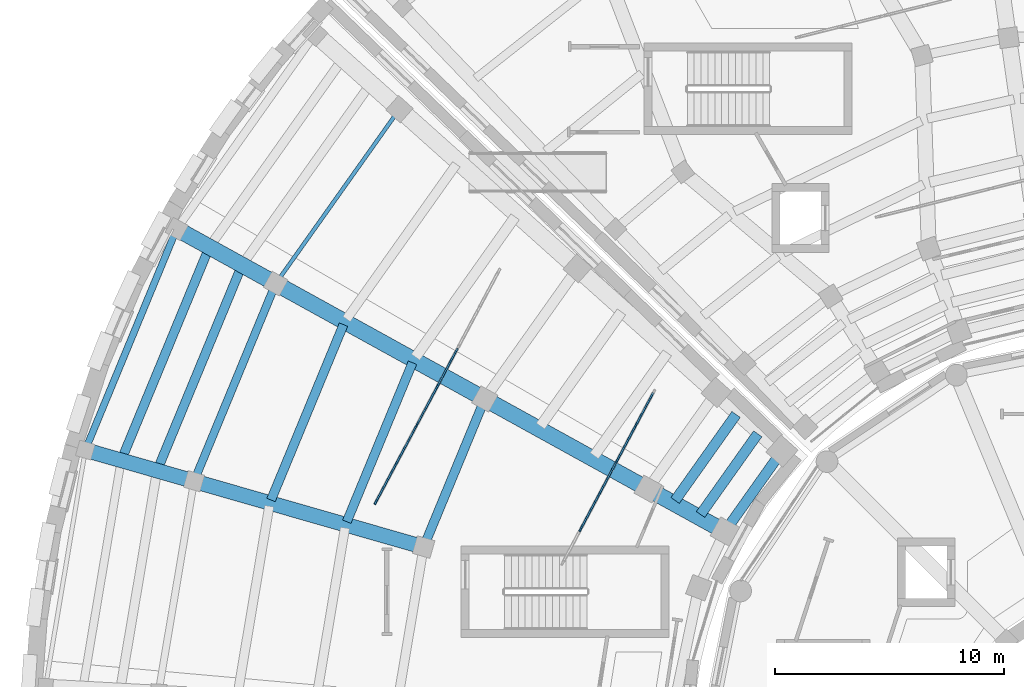
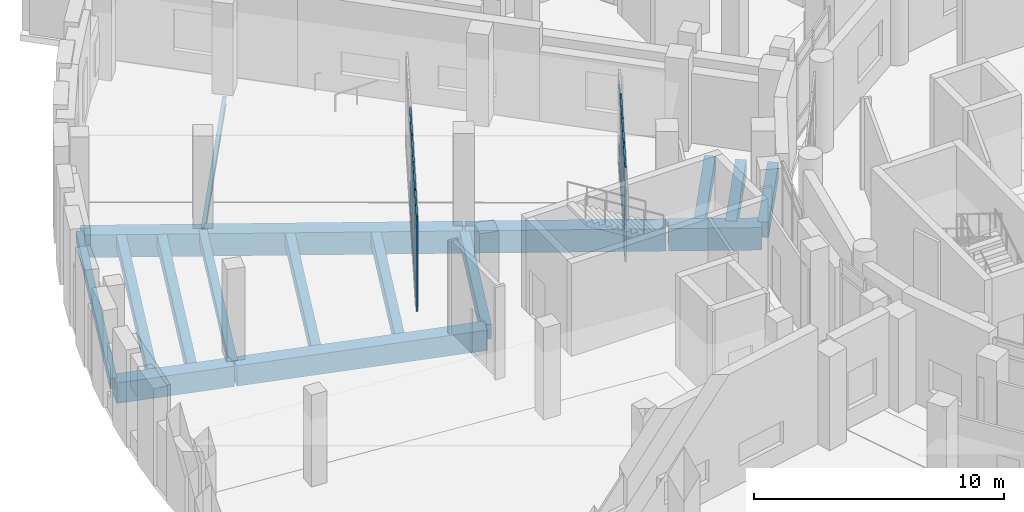
# One storey, part 27 of 89: 39 members, 17 beams, 2 elements without a shape of their own.
"""IFC4 building model written with IfcOpenShell, lengths in metres."""

import ifcopenshell
import ifcopenshell.guid

model = None  # the IFC model being written
_history = None  # IfcOwnerHistory: only IFC2X3 demands one
_inside = {}  # id of a spatial element -> (the spatial element, [elements in it])
_under = {}  # id of a project, library or spatial element -> (it, [spatial elements below it])
_declared = {}  # id of a project -> (the project, [libraries it declares])
_typed = {}  # id of a type object -> (the type object, [elements of that type])
_made_of = {}  # id of a material, layer set ... -> (it, [elements and type objects made of it])


def new_model(schema):
    """Start an empty IFC model of exactly this schema.

    Asked for "IFC4X3", IfcOpenShell would pick the latest addendum, in which some entities
    have other attributes; the version numbers below select the first issue.
    IFC2X3 requires an IfcOwnerHistory on every rooted entity: one is made here for all.
    """
    global model, _history
    if schema == "IFC4X3":
        model = ifcopenshell.file(schema_version=(4, 3, 0, 0))
    else:
        model = ifcopenshell.file(schema=schema)
    _inside.clear()
    _under.clear()
    _declared.clear()
    _typed.clear()
    _made_of.clear()
    _history = None
    if model.schema == "IFC2X3":
        org = make("IfcOrganization", Name="unknown")
        user = make(
            "IfcPersonAndOrganization",
            ThePerson=make("IfcPerson", FamilyName="unknown"),
            TheOrganization=org,
        )
        app = make(
            "IfcApplication",
            ApplicationDeveloper=org,
            Version="unknown",
            ApplicationFullName="unknown",
            ApplicationIdentifier="unknown",
        )
        _history = make(
            "IfcOwnerHistory",
            OwningUser=user,
            OwningApplication=app,
            ChangeAction="ADDED",
            CreationDate=0,
        )
    return model


def make(cls, **values):
    """One entity of the class cls with the attributes given. An attribute that is None is left unset."""
    return model.create_entity(
        cls, **{name: value for name, value in values.items() if value is not None}
    )


def rooted(cls, **values):
    """An entity with a GlobalId (a new one), such as an element, a storey or a relation."""
    return make(cls, GlobalId=ifcopenshell.guid.new(), OwnerHistory=_history, **values)


def si_unit(unit_type, name, prefix=None):
    """IfcSIUnit, for example si_unit("LENGTHUNIT", "METRE", prefix="MILLI")."""
    return make("IfcSIUnit", UnitType=unit_type, Prefix=prefix, Name=name)


def assignment(units):
    """IfcUnitAssignment: the units of a project."""
    return None if units is None else make("IfcUnitAssignment", Units=units)


def point(xyz):
    """IfcCartesianPoint."""
    return None if xyz is None else make("IfcCartesianPoint", Coordinates=xyz)


def direction(xyz):
    """IfcDirection."""
    return None if xyz is None else make("IfcDirection", DirectionRatios=xyz)


def frame(location, z_axis=None, x_axis=None):
    """IfcAxis2Placement3D, a coordinate frame: its origin and axes. An axis left out is left unset."""
    return make(
        "IfcAxis2Placement3D",
        Location=point(location),
        Axis=direction(z_axis),
        RefDirection=direction(x_axis),
    )


def frame_2d(location, x_axis=None):
    """IfcAxis2Placement2D, a coordinate frame in the plane: its origin and x axis."""
    return make(
        "IfcAxis2Placement2D", Location=point(location), RefDirection=direction(x_axis)
    )


def origin():
    """The frame at (0, 0, 0) with its axes left unset."""
    return frame((0.0, 0.0, 0.0))


def origin_2d():
    """The frame at (0, 0) in the plane with its x axis left unset."""
    return frame_2d((0.0, 0.0))


def place(relative_to, where):
    """IfcLocalPlacement: puts the frame where relative to a parent placement (None: the world)."""
    return make(
        "IfcLocalPlacement", PlacementRelTo=relative_to, RelativePlacement=where
    )


def context(
    kind, dimensions, precision=None, world=None, true_north=None, identifier=None
):
    """IfcGeometricRepresentationContext, for example the 3D "Model" context."""
    return make(
        "IfcGeometricRepresentationContext",
        ContextIdentifier=identifier,
        ContextType=kind,
        CoordinateSpaceDimension=dimensions,
        Precision=precision,
        WorldCoordinateSystem=world,
        TrueNorth=true_north,
    )


def subcontext(parent, identifier, kind, view, scale=None):
    """IfcGeometricRepresentationSubContext, for example "Body" below "Model"."""
    return make(
        "IfcGeometricRepresentationSubContext",
        ContextIdentifier=identifier,
        ContextType=kind,
        ParentContext=parent,
        TargetScale=scale,
        TargetView=view,
    )


def project(units=None, contexts=None):
    """IfcProject with its units and contexts."""
    return rooted(
        "IfcProject",
        Name="project",
        RepresentationContexts=contexts,
        UnitsInContext=assignment(units),
    )


def spatial(cls, under=None, at=None, **own):
    """A site, building, storey or space (cls), placed at a placement, below another one or the project."""
    s = rooted(cls, ObjectPlacement=at, **own)
    if under is not None:
        _under.setdefault(under.id(), (under, []))[1].append(s)
    return s


def profile(cls, at=None, kind="AREA", **sizes):
    """A parametric profile (cls). Its sizes go by their IFC names, for example OverallWidth=200.0."""
    return make(cls, ProfileType=kind, Position=at, **sizes)


def rectangle(**sizes):
    """IfcRectangleProfileDef."""
    return profile("IfcRectangleProfileDef", **sizes)


def i_section(**sizes):
    """IfcIShapeProfileDef."""
    return profile("IfcIShapeProfileDef", **sizes)


def extrude(swept, where, along, depth):
    """IfcExtrudedAreaSolid: the profile swept, set in the frame where, extruded along a direction by depth."""
    return make(
        "IfcExtrudedAreaSolid",
        SweptArea=swept,
        Position=where,
        ExtrudedDirection=direction(along),
        Depth=depth,
    )


def shape(context_of_items, identifier, shape_type, items):
    """IfcShapeRepresentation: the items that make up one representation, for example the "Body"."""
    return make(
        "IfcShapeRepresentation",
        ContextOfItems=context_of_items,
        RepresentationIdentifier=identifier,
        RepresentationType=shape_type,
        Items=items,
    )


def material(Name=None, Category=None):
    """IfcMaterial."""
    return make("IfcMaterial", Name=Name, Category=Category)


def material_profile(
    of_material, cross_section, Name=None, Category=None, Priority=None
):
    """IfcMaterialProfile: a cross section and its material."""
    return make(
        "IfcMaterialProfile",
        Name=Name,
        Material=of_material,
        Profile=cross_section,
        Priority=Priority,
        Category=Category,
    )


def profile_set(profiles, Name=None, composite=None):
    """IfcMaterialProfileSet."""
    return make(
        "IfcMaterialProfileSet",
        Name=Name,
        MaterialProfiles=profiles,
        CompositeProfile=composite,
    )


def made_of(thing, what):
    """Note that an element or type object is made of a material, layer set ...; save() writes the relation."""
    if what is not None:
        _made_of.setdefault(what.id(), (what, []))[1].append(thing)
    return thing


def type_object(cls, material=None, **own):
    """A type object (cls), such as IfcWallType, which elements share."""
    return made_of(rooted(cls, **own), material)


def element(
    cls,
    number,
    at=None,
    inside=None,
    cuts=None,
    type_object=None,
    material=None,
    context=None,
    identifier="Body",
    shape_type=None,
    held_by="IfcProductDefinitionShape",
    body=None,
    shapes=None,
    **own,
):
    """One element of the class cls, such as IfcWall. Its Tag is "e" and its number.

    at: its placement. inside: the storey or other place that contains it. cuts: it is an
    opening in that element (IfcRelVoidsElement). A single representation is given by context,
    identifier, shape_type and body (its items); several are given by shapes. held_by: the class
    of the entity that holds the representations. save() writes the other relations.
    """
    e = rooted(cls, Tag="e%d" % number, ObjectPlacement=at, **own)
    if body is not None:
        shapes = [shape(context, identifier, shape_type, body)]
    if shapes is not None:
        e.Representation = make(held_by, Representations=shapes)
    if inside is not None:
        _inside.setdefault(inside.id(), (inside, []))[1].append(e)
    if cuts is not None:
        rooted(
            "IfcRelVoidsElement", RelatingBuildingElement=cuts, RelatedOpeningElement=e
        )
    if type_object is not None:
        _typed.setdefault(type_object.id(), (type_object, []))[1].append(e)
    return made_of(e, material)


def aggregate(whole, parts):
    """IfcRelAggregates: a whole, such as a stair, and the parts it consists of."""
    return rooted("IfcRelAggregates", RelatingObject=whole, RelatedObjects=parts)


def save(model, path):
    """Write the relations noted so far, then the file.

    IfcRelAggregates (storeys below a building ...), IfcRelContainedInSpatialStructure (elements
    in a storey), IfcRelDefinesByType, IfcRelAssociatesMaterial and IfcRelDeclares: one each for
    every whole, place, type object, material and project.
    """
    for whole, parts in _under.values():
        aggregate(whole, parts)
    for where, things in _inside.values():
        rooted(
            "IfcRelContainedInSpatialStructure",
            RelatedElements=things,
            RelatingStructure=where,
        )
    for kind, things in _typed.values():
        rooted("IfcRelDefinesByType", RelatedObjects=things, RelatingType=kind)
    for what, things in _made_of.values():
        rooted("IfcRelAssociatesMaterial", RelatedObjects=things, RelatingMaterial=what)
    for by, libraries in _declared.values():
        rooted("IfcRelDeclares", RelatingContext=by, RelatedDefinitions=libraries)
    model.write(path)


model = new_model("IFC4")

# Units and contexts
model_context = context("Model", 3, precision=1e-05, world=origin(), true_north=direction((0.0, 1.0)))
body_context = subcontext(model_context, "Body", "Model", "MODEL_VIEW")
ifc_project = project(units=[si_unit("LENGTHUNIT", "METRE"), si_unit("AREAUNIT", "SQUARE_METRE"), si_unit("VOLUMEUNIT", "CUBIC_METRE"), si_unit("PLANEANGLEUNIT", "RADIAN"), si_unit("MASSUNIT", "GRAM", prefix="KILO")], contexts=[model_context])

# Site, building, storey
site_placement = place(None, origin())
site = spatial("IfcSite", under=ifc_project, at=site_placement, CompositionType="ELEMENT")
building_placement = place(site_placement, origin())
building = spatial("IfcBuilding", under=site, at=building_placement, Name="Soyqirgoq Riverine Aquarium", CompositionType="ELEMENT")
storey_placement = place(building_placement, frame((0.0, 0.0, 5.39990234375)))
storey = spatial("IfcBuildingStorey", under=building, at=storey_placement, Name="L02", CompositionType="ELEMENT", Elevation=5.39990234375)

# Beams
ifc_material_1 = material(Name="Concrete C40/50", Category="concrete")
ifc_material_profile_1 = material_profile(ifc_material_1, rectangle(XDim=0.39990234375, YDim=0.60009765625, at=origin_2d()), Name="RC 400x600")
ifc_profile_set_1 = profile_set([ifc_material_profile_1], Name="Concrete C40/50")
beam_type_1 = type_object("IfcBeamType", Name="Beam_RC_400x600", PredefinedType="JOIST", material=ifc_profile_set_1)
beam_1_placement = place(storey_placement, frame((16.580078125, 78.602294921875, -0.599853515625), z_axis=(-0.381878309596, -0.924212614424, 0.0), x_axis=(0.924212614424, -0.381878309596, 0.0)))
element("IfcBeam", 1, at=beam_1_placement, inside=storey, type_object=beam_type_1, Name="V3 L02 Secondary Floor Joist 0403", PredefinedType="JOIST", context=body_context, shape_type="SweptSolid", body=[
    extrude(rectangle(XDim=0.39990234375, YDim=0.60009765625, at=origin_2d()), origin(), (0.0, 0.0, 1.0), 9.822998046875),
])
ifc_material_2 = material(Name="Concrete C40/50", Category="concrete")
ifc_material_profile_2 = material_profile(ifc_material_2, rectangle(XDim=0.39990234375, YDim=0.64990234375, at=origin_2d()), Name="RC 400x650")
ifc_profile_set_2 = profile_set([ifc_material_profile_2], Name="Concrete C40/50")
beam_type_2 = type_object("IfcBeamType", Name="Beam_RC_400x650", PredefinedType="BEAM", material=ifc_profile_set_2)
beam_2_placement = place(storey_placement, frame((22.50244140625, 75.332763671875, -0.625), z_axis=(-0.381876463653, -0.924213377153, 0.0), x_axis=(0.924213377153, -0.381876463653, 0.0)))
element("IfcBeam", 2, at=beam_2_placement, inside=storey, type_object=beam_type_2, Name="V3 L02 Secondary Floor Joist 0391", PredefinedType="BEAM", context=body_context, shape_type="SweptSolid", body=[
    extrude(rectangle(XDim=0.39990234375, YDim=0.64990234375, at=origin_2d()), origin(), (0.0, 0.0, 1.0), 8.302734375),
])
beam_3_placement = place(storey_placement, frame((18.010009765625, 77.812744140625, -0.625), z_axis=(-0.381863720074, -0.92421864258, 0.0), x_axis=(0.92421864258, -0.381863720074, 0.0)))
element("IfcBeam", 3, at=beam_3_placement, inside=storey, type_object=beam_type_2, Name="V3 L02 Secondary Floor Joist 0402", PredefinedType="BEAM", context=body_context, shape_type="SweptSolid", body=[
    extrude(rectangle(XDim=0.39990234375, YDim=0.64990234375, at=origin_2d()), origin(), (0.0, 0.0, 1.0), 9.455810546875),
])
ifc_material_3 = material(Name="Concrete C40/50", Category="concrete")
ifc_material_profile_3 = material_profile(ifc_material_3, rectangle(XDim=0.39990234375, YDim=0.699951171875, at=origin_2d()), Name="RC 400x700")
ifc_profile_set_3 = profile_set([ifc_material_profile_3], Name="Concrete C40/50")
beam_type_3 = type_object("IfcBeamType", Name="Beam_RC_400x700", PredefinedType="BEAM", material=ifc_profile_set_3)
beam_4_placement = place(storey_placement, frame((28.66650390625, 72.0322265625, -0.64990234375), z_axis=(-0.381899251328, -0.924203961166, 0.0), x_axis=(0.924203961166, -0.381899251328, 0.0)))
element("IfcBeam", 4, at=beam_4_placement, inside=storey, type_object=beam_type_3, Name="V3 L02 Wedge Chord Beam 0385", PredefinedType="BEAM", context=body_context, shape_type="SweptSolid", body=[
    extrude(rectangle(XDim=0.39990234375, YDim=0.699951171875, at=origin_2d()), origin(), (0.0, 0.0, 1.0), 6.909912109375),
])
beam_5_placement = place(storey_placement, frame((25.521484375, 73.666015625, -0.64990234375), z_axis=(-0.38187337807, -0.924214652081, 0.0), x_axis=(0.924214652081, -0.38187337807, 0.0)))
element("IfcBeam", 5, at=beam_5_placement, inside=storey, type_object=beam_type_3, Name="V3 L02 Secondary Floor Joist 0390", PredefinedType="BEAM", context=body_context, shape_type="SweptSolid", body=[
    extrude(rectangle(XDim=0.39990234375, YDim=0.699951171875, at=origin_2d()), origin(), (0.0, 0.0, 1.0), 7.528076171875),
])
ifc_material_4 = material(Name="Concrete C40/50", Category="concrete")
ifc_material_profile_4 = material_profile(ifc_material_4, rectangle(XDim=0.449951171875, YDim=0.699951171875, at=origin_2d()), Name="RC 450x700")
ifc_profile_set_4 = profile_set([ifc_material_profile_4], Name="Concrete C40/50")
beam_type_4 = type_object("IfcBeamType", Name="Beam_RC_450x700", PredefinedType="BEAM", material=ifc_profile_set_4)
beam_6_placement = place(storey_placement, frame((39.682861328125, 71.402587890625, -0.64990234375), z_axis=(-0.578551706163, -0.81564570942, 0.0), x_axis=(0.81564570942, -0.578551706163, 0.0)))
element("IfcBeam", 6, at=beam_6_placement, inside=storey, type_object=beam_type_4, Name="V3 L02 Secondary Floor Joist 0380", PredefinedType="BEAM", context=body_context, shape_type="SweptSolid", body=[
    extrude(rectangle(XDim=0.449951171875, YDim=0.699951171875, at=origin_2d()), origin(), (0.0, 0.0, 1.0), 4.613037109375),
])
ifc_material_5 = material(Name="Concrete C40/50", Category="concrete")
ifc_material_profile_5 = material_profile(ifc_material_5, rectangle(XDim=0.449951171875, YDim=0.75, at=origin_2d()), Name="RC 450x750")
ifc_profile_set_5 = profile_set([ifc_material_profile_5], Name="Concrete C40/50")
beam_type_5 = type_object("IfcBeamType", Name="Beam_RC_450x750", PredefinedType="BEAM", material=ifc_profile_set_5)
beam_7_placement = place(storey_placement, frame((41.657958984375, 69.756591796875, -0.6748046875), z_axis=(-0.578587890745, -0.81562004186, 0.0), x_axis=(0.81562004186, -0.578587890745, 0.0)))
element("IfcBeam", 7, at=beam_7_placement, inside=storey, type_object=beam_type_5, Name="V3 L02 Wedge Chord Beam 0375", PredefinedType="BEAM", context=body_context, shape_type="SweptSolid", body=[
    extrude(rectangle(XDim=0.449951171875, YDim=0.75, at=origin_2d()), origin(), (0.0, 0.0, 1.0), 4.213623046875),
])
beam_8_placement = place(storey_placement, frame((40.630126953125, 70.5556640625, -0.6748046875), z_axis=(-0.578577557542, -0.815627371971, 0.0), x_axis=(0.815627371971, -0.578577557542, 0.0)))
element("IfcBeam", 8, at=beam_8_placement, inside=storey, type_object=beam_type_5, Name="V3 L02 Secondary Floor Joist 0379", PredefinedType="BEAM", context=body_context, shape_type="SweptSolid", body=[
    extrude(rectangle(XDim=0.449951171875, YDim=0.75, at=origin_2d()), origin(), (0.0, 0.0, 1.0), 4.32763671875),
])

# Curtain wall, members
ifc_material_6 = material(Name="Cast polymethyl methacrylate PMMA Habitat Viewing Glazing", Category="glass")
curtain_wall_type = type_object("IfcCurtainWallType", Name="CW_Interior_TankVitrine", PredefinedType="NOTDEFINED", material=ifc_material_6)
curtain_wall_1_placement = place(storey_placement, origin())
curtain_wall_1 = element("IfcCurtainWall", 9, at=curtain_wall_1_placement, inside=storey, type_object=curtain_wall_type, Name="V3 L02 Curtain Wall 149", PredefinedType="NOTDEFINED")
ifc_material_7 = material(Name="Anodised aluminium 6063-T6", Category="aluminium")
ifc_material_profile_6 = material_profile(ifc_material_7, rectangle(XDim=0.080078125, YDim=0.219970703125, at=origin_2d()), Name="ALU-M 80x220")
ifc_profile_set_6 = profile_set([ifc_material_profile_6], Name="Anodised aluminium 6063-T6")
member_type_1 = type_object("IfcMemberType", Name="CWMullion_80x220", PredefinedType="MULLION", material=ifc_profile_set_6)
member_1_placement = place(storey_placement, frame((35.292236328125, 70.916259765625, 0.0), z_axis=(0.0, 0.0, 1.0), x_axis=(0.882946853562, -0.469472953199, 0.0)))
member_1 = element("IfcMember", 10, at=member_1_placement, type_object=member_type_1, Name="CW-07 mullion 2", PredefinedType="MULLION", context=body_context, shape_type="SweptSolid", body=[
    extrude(rectangle(XDim=0.080078125, YDim=0.219970703125, at=origin_2d()), origin(), (0.0, 0.0, 1.0), 4.52001953125),
])
member_2_placement = place(storey_placement, frame((34.4892578125, 69.406005859375, 0.0), z_axis=(0.0, 0.0, 1.0), x_axis=(0.882946853562, -0.469472953199, 0.0)))
member_2 = element("IfcMember", 11, at=member_2_placement, type_object=member_type_1, Name="CW-07 mullion 3", PredefinedType="MULLION", context=body_context, shape_type="SweptSolid", body=[
    extrude(rectangle(XDim=0.080078125, YDim=0.219970703125, at=origin_2d()), origin(), (0.0, 0.0, 1.0), 4.52001953125),
])
member_3_placement = place(storey_placement, frame((33.686279296875, 67.895751953125, 0.0), z_axis=(0.0, 0.0, 1.0), x_axis=(0.882946853562, -0.469472953199, 0.0)))
member_3 = element("IfcMember", 12, at=member_3_placement, type_object=member_type_1, Name="CW-07 mullion 4", PredefinedType="MULLION", context=body_context, shape_type="SweptSolid", body=[
    extrude(rectangle(XDim=0.080078125, YDim=0.219970703125, at=origin_2d()), origin(), (0.0, 0.0, 1.0), 4.52001953125),
])
member_4_placement = place(storey_placement, frame((32.88330078125, 66.3857421875, 0.0), z_axis=(0.0, 0.0, 1.0), x_axis=(0.882946853562, -0.469472953199, 0.0)))
member_4 = element("IfcMember", 13, at=member_4_placement, type_object=member_type_1, Name="CW-07 mullion 5", PredefinedType="MULLION", context=body_context, shape_type="SweptSolid", body=[
    extrude(rectangle(XDim=0.080078125, YDim=0.219970703125, at=origin_2d()), origin(), (0.0, 0.0, 1.0), 4.52001953125),
])

curtain_wall_2_placement = place(storey_placement, origin())
curtain_wall_2 = element("IfcCurtainWall", 14, at=curtain_wall_2_placement, inside=storey, type_object=curtain_wall_type, Name="V3 L02 Curtain Wall 150", PredefinedType="NOTDEFINED")
member_5_placement = place(storey_placement, frame((26.60986328125, 72.627197265625, 0.0), z_axis=(0.0, 0.0, 1.0), x_axis=(0.88294600104, -0.46947455655, 0.0)))
member_5 = element("IfcMember", 15, at=member_5_placement, type_object=member_type_1, Name="CW-07 mullion 4", PredefinedType="MULLION", context=body_context, shape_type="SweptSolid", body=[
    extrude(rectangle(XDim=0.080078125, YDim=0.219970703125, at=origin_2d()), origin(), (0.0, 0.0, 1.0), 4.52001953125),
])
member_6_placement = place(storey_placement, frame((25.706787109375, 70.92919921875, 0.0), z_axis=(0.0, 0.0, 1.0), x_axis=(0.88294600104, -0.46947455655, 0.0)))
member_6 = element("IfcMember", 16, at=member_6_placement, type_object=member_type_1, Name="CW-07 mullion 5", PredefinedType="MULLION", context=body_context, shape_type="SweptSolid", body=[
    extrude(rectangle(XDim=0.080078125, YDim=0.219970703125, at=origin_2d()), origin(), (0.0, 0.0, 1.0), 4.52001953125),
])
member_7_placement = place(storey_placement, frame((24.803955078125, 69.231201171875, 0.0), z_axis=(0.0, 0.0, 1.0), x_axis=(0.88294600104, -0.46947455655, 0.0)))
member_7 = element("IfcMember", 17, at=member_7_placement, type_object=member_type_1, Name="CW-07 mullion 6", PredefinedType="MULLION", context=body_context, shape_type="SweptSolid", body=[
    extrude(rectangle(XDim=0.080078125, YDim=0.219970703125, at=origin_2d()), origin(), (0.0, 0.0, 1.0), 4.52001953125),
])
member_8_placement = place(storey_placement, frame((23.919921875, 67.568359375, 0.0), z_axis=(0.0, 0.0, 1.0), x_axis=(0.88294600104, -0.46947455655, 0.0)))
member_8 = element("IfcMember", 18, at=member_8_placement, type_object=member_type_1, Name="CW-07 mullion 7", PredefinedType="MULLION", context=body_context, shape_type="SweptSolid", body=[
    extrude(rectangle(XDim=0.080078125, YDim=0.219970703125, at=origin_2d()), origin(), (0.0, 0.0, 1.0), 4.52001953125),
])

# Member
ifc_material_8 = material(Name="Anodised aluminium 6063-T6", Category="aluminium")
ifc_material_profile_7 = material_profile(ifc_material_8, rectangle(XDim=0.074951171875, YDim=0.14990234375, at=origin_2d()), Name="ALU-T 75x150")
ifc_profile_set_7 = profile_set([ifc_material_profile_7], Name="Anodised aluminium 6063-T6")
member_type_2 = type_object("IfcMemberType", Name="CWTransom_75x150", PredefinedType="USERDEFINED", material=ifc_profile_set_7)
member_9_placement = place(storey_placement, frame((36.0576171875, 72.355712890625, 0.03759765625), z_axis=(-0.46942457219, -0.882972576598, 0.0), x_axis=(0.882972576598, -0.46942457219, 0.0)))
member_9 = element("IfcMember", 19, at=member_9_placement, type_object=member_type_2, Name="CW-07 transom 1.1", ObjectType="TRANSOM", PredefinedType="USERDEFINED", context=body_context, shape_type="SweptSolid", body=[
    extrude(rectangle(XDim=0.074951171875, YDim=0.14990234375, at=origin_2d()), origin(), (0.0, 0.0, 1.0), 1.59033203125),
])

member_10_placement = place(storey_placement, frame((36.0576171875, 72.355712890625, 0.900146484375), z_axis=(-0.46942457219, -0.882972576598, 0.0), x_axis=(0.882972576598, -0.46942457219, 0.0)))
member_10 = element("IfcMember", 20, at=member_10_placement, type_object=member_type_2, Name="CW-07 transom 1.2", ObjectType="TRANSOM", PredefinedType="USERDEFINED", context=body_context, shape_type="SweptSolid", body=[
    extrude(rectangle(XDim=0.074951171875, YDim=0.14990234375, at=origin_2d()), origin(), (0.0, 0.0, 1.0), 1.59033203125),
])

member_11_placement = place(storey_placement, frame((36.0576171875, 72.355712890625, 3.820068359375), z_axis=(-0.46942457219, -0.882972576598, 0.0), x_axis=(0.882972576598, -0.46942457219, 0.0)))
member_11 = element("IfcMember", 21, at=member_11_placement, type_object=member_type_2, Name="CW-07 transom 1.3", ObjectType="TRANSOM", PredefinedType="USERDEFINED", context=body_context, shape_type="SweptSolid", body=[
    extrude(rectangle(XDim=0.074951171875, YDim=0.14990234375, at=origin_2d()), origin(), (0.0, 0.0, 1.0), 1.59033203125),
])

member_12_placement = place(storey_placement, frame((35.2734375, 70.880859375, 0.03759765625), z_axis=(-0.469476371699, -0.882945035898, 0.0), x_axis=(0.882945035898, -0.469476371699, 0.0)))
member_12 = element("IfcMember", 22, at=member_12_placement, type_object=member_type_2, Name="CW-07 transom 2.1", ObjectType="TRANSOM", PredefinedType="USERDEFINED", context=body_context, shape_type="SweptSolid", body=[
    extrude(rectangle(XDim=0.074951171875, YDim=0.14990234375, at=origin_2d()), origin(), (0.0, 0.0, 1.0), 1.63037109375),
])

member_13_placement = place(storey_placement, frame((35.2734375, 70.880859375, 0.900146484375), z_axis=(-0.469476371699, -0.882945035898, 0.0), x_axis=(0.882945035898, -0.469476371699, 0.0)))
member_13 = element("IfcMember", 23, at=member_13_placement, type_object=member_type_2, Name="CW-07 transom 2.2", ObjectType="TRANSOM", PredefinedType="USERDEFINED", context=body_context, shape_type="SweptSolid", body=[
    extrude(rectangle(XDim=0.074951171875, YDim=0.14990234375, at=origin_2d()), origin(), (0.0, 0.0, 1.0), 1.63037109375),
])

member_14_placement = place(storey_placement, frame((35.2734375, 70.880859375, 3.820068359375), z_axis=(-0.469476371699, -0.882945035898, 0.0), x_axis=(0.882945035898, -0.469476371699, 0.0)))
member_14 = element("IfcMember", 24, at=member_14_placement, type_object=member_type_2, Name="CW-07 transom 2.3", ObjectType="TRANSOM", PredefinedType="USERDEFINED", context=body_context, shape_type="SweptSolid", body=[
    extrude(rectangle(XDim=0.074951171875, YDim=0.14990234375, at=origin_2d()), origin(), (0.0, 0.0, 1.0), 1.63037109375),
])

member_15_placement = place(storey_placement, frame((35.2734375, 70.880859375, 4.482666015625), z_axis=(-0.469476371699, -0.882945035898, 0.0), x_axis=(0.882945035898, -0.469476371699, 0.0)))
member_15 = element("IfcMember", 25, at=member_15_placement, type_object=member_type_2, Name="CW-07 transom 2.4", ObjectType="TRANSOM", PredefinedType="USERDEFINED", context=body_context, shape_type="SweptSolid", body=[
    extrude(rectangle(XDim=0.074951171875, YDim=0.14990234375, at=origin_2d()), origin(), (0.0, 0.0, 1.0), 1.63037109375),
])

member_16_placement = place(storey_placement, frame((34.470458984375, 69.37060546875, 0.03759765625), z_axis=(-0.469476371699, -0.882945035898, 0.0), x_axis=(0.882945035898, -0.469476371699, 0.0)))
member_16 = element("IfcMember", 26, at=member_16_placement, type_object=member_type_2, Name="CW-07 transom 3.1", ObjectType="TRANSOM", PredefinedType="USERDEFINED", context=body_context, shape_type="SweptSolid", body=[
    extrude(rectangle(XDim=0.074951171875, YDim=0.14990234375, at=origin_2d()), origin(), (0.0, 0.0, 1.0), 1.63037109375),
])

member_17_placement = place(storey_placement, frame((34.470458984375, 69.37060546875, 0.900146484375), z_axis=(-0.469476371699, -0.882945035898, 0.0), x_axis=(0.882945035898, -0.469476371699, 0.0)))
member_17 = element("IfcMember", 27, at=member_17_placement, type_object=member_type_2, Name="CW-07 transom 3.2", ObjectType="TRANSOM", PredefinedType="USERDEFINED", context=body_context, shape_type="SweptSolid", body=[
    extrude(rectangle(XDim=0.074951171875, YDim=0.14990234375, at=origin_2d()), origin(), (0.0, 0.0, 1.0), 1.63037109375),
])

member_18_placement = place(storey_placement, frame((34.470458984375, 69.37060546875, 3.820068359375), z_axis=(-0.469476371699, -0.882945035898, 0.0), x_axis=(0.882945035898, -0.469476371699, 0.0)))
member_18 = element("IfcMember", 28, at=member_18_placement, type_object=member_type_2, Name="CW-07 transom 3.3", ObjectType="TRANSOM", PredefinedType="USERDEFINED", context=body_context, shape_type="SweptSolid", body=[
    extrude(rectangle(XDim=0.074951171875, YDim=0.14990234375, at=origin_2d()), origin(), (0.0, 0.0, 1.0), 1.63037109375),
])

member_19_placement = place(storey_placement, frame((34.470458984375, 69.37060546875, 4.482666015625), z_axis=(-0.469476371699, -0.882945035898, 0.0), x_axis=(0.882945035898, -0.469476371699, 0.0)))
member_19 = element("IfcMember", 29, at=member_19_placement, type_object=member_type_2, Name="CW-07 transom 3.4", ObjectType="TRANSOM", PredefinedType="USERDEFINED", context=body_context, shape_type="SweptSolid", body=[
    extrude(rectangle(XDim=0.074951171875, YDim=0.14990234375, at=origin_2d()), origin(), (0.0, 0.0, 1.0), 1.63037109375),
])

member_20_placement = place(storey_placement, frame((33.66748046875, 67.860595703125, 0.03759765625), z_axis=(-0.469414302764, -0.882978036171, 0.0), x_axis=(0.882978036171, -0.469414302764, 0.0)))
member_20 = element("IfcMember", 30, at=member_20_placement, type_object=member_type_2, Name="CW-07 transom 4.1", ObjectType="TRANSOM", PredefinedType="USERDEFINED", context=body_context, shape_type="SweptSolid", body=[
    extrude(rectangle(XDim=0.074951171875, YDim=0.14990234375, at=origin_2d()), origin(), (0.0, 0.0, 1.0), 1.630615234375),
])

member_21_placement = place(storey_placement, frame((33.66748046875, 67.860595703125, 0.900146484375), z_axis=(-0.469414302764, -0.882978036171, 0.0), x_axis=(0.882978036171, -0.469414302764, 0.0)))
member_21 = element("IfcMember", 31, at=member_21_placement, type_object=member_type_2, Name="CW-07 transom 4.2", ObjectType="TRANSOM", PredefinedType="USERDEFINED", context=body_context, shape_type="SweptSolid", body=[
    extrude(rectangle(XDim=0.074951171875, YDim=0.14990234375, at=origin_2d()), origin(), (0.0, 0.0, 1.0), 1.630615234375),
])

member_22_placement = place(storey_placement, frame((33.66748046875, 67.860595703125, 3.820068359375), z_axis=(-0.469414302764, -0.882978036171, 0.0), x_axis=(0.882978036171, -0.469414302764, 0.0)))
member_22 = element("IfcMember", 32, at=member_22_placement, type_object=member_type_2, Name="CW-07 transom 4.3", ObjectType="TRANSOM", PredefinedType="USERDEFINED", context=body_context, shape_type="SweptSolid", body=[
    extrude(rectangle(XDim=0.074951171875, YDim=0.14990234375, at=origin_2d()), origin(), (0.0, 0.0, 1.0), 1.630615234375),
])

member_23_placement = place(storey_placement, frame((33.66748046875, 67.860595703125, 4.482666015625), z_axis=(-0.469414302764, -0.882978036171, 0.0), x_axis=(0.882978036171, -0.469414302764, 0.0)))
member_23 = element("IfcMember", 33, at=member_23_placement, type_object=member_type_2, Name="CW-07 transom 4.4", ObjectType="TRANSOM", PredefinedType="USERDEFINED", context=body_context, shape_type="SweptSolid", body=[
    extrude(rectangle(XDim=0.074951171875, YDim=0.14990234375, at=origin_2d()), origin(), (0.0, 0.0, 1.0), 1.630615234375),
])

aggregate(curtain_wall_1, [member_1, member_2, member_3, member_4, member_9, member_10, member_11, member_12, member_13, member_14, member_15, member_16, member_17, member_18, member_19, member_20, member_21, member_22, member_23])

member_24_placement = place(storey_placement, frame((27.493896484375, 74.289794921875, 0.03759765625), z_axis=(-0.469536090238, -0.882913279979, 0.0), x_axis=(0.882913279979, -0.469536090238, 0.0)))
member_24 = element("IfcMember", 34, at=member_24_placement, type_object=member_type_2, Name="CW-07 transom 3.1", ObjectType="TRANSOM", PredefinedType="USERDEFINED", context=body_context, shape_type="SweptSolid", body=[
    extrude(rectangle(XDim=0.074951171875, YDim=0.14990234375, at=origin_2d()), origin(), (0.0, 0.0, 1.0), 1.84326171875),
])

member_25_placement = place(storey_placement, frame((27.493896484375, 74.289794921875, 0.900146484375), z_axis=(-0.469536090238, -0.882913279979, 0.0), x_axis=(0.882913279979, -0.469536090238, 0.0)))
member_25 = element("IfcMember", 35, at=member_25_placement, type_object=member_type_2, Name="CW-07 transom 3.2", ObjectType="TRANSOM", PredefinedType="USERDEFINED", context=body_context, shape_type="SweptSolid", body=[
    extrude(rectangle(XDim=0.074951171875, YDim=0.14990234375, at=origin_2d()), origin(), (0.0, 0.0, 1.0), 1.84326171875),
])

member_26_placement = place(storey_placement, frame((27.493896484375, 74.289794921875, 3.820068359375), z_axis=(-0.469536090238, -0.882913279979, 0.0), x_axis=(0.882913279979, -0.469536090238, 0.0)))
member_26 = element("IfcMember", 36, at=member_26_placement, type_object=member_type_2, Name="CW-07 transom 3.3", ObjectType="TRANSOM", PredefinedType="USERDEFINED", context=body_context, shape_type="SweptSolid", body=[
    extrude(rectangle(XDim=0.074951171875, YDim=0.14990234375, at=origin_2d()), origin(), (0.0, 0.0, 1.0), 1.84326171875),
])

member_27_placement = place(storey_placement, frame((27.493896484375, 74.289794921875, 4.482666015625), z_axis=(-0.469536090238, -0.882913279979, 0.0), x_axis=(0.882913279979, -0.469536090238, 0.0)))
member_27 = element("IfcMember", 37, at=member_27_placement, type_object=member_type_2, Name="CW-07 transom 3.4", ObjectType="TRANSOM", PredefinedType="USERDEFINED", context=body_context, shape_type="SweptSolid", body=[
    extrude(rectangle(XDim=0.074951171875, YDim=0.14990234375, at=origin_2d()), origin(), (0.0, 0.0, 1.0), 1.84326171875),
])

member_28_placement = place(storey_placement, frame((26.591064453125, 72.591796875, 0.03759765625), z_axis=(-0.469536090238, -0.882913279979, 0.0), x_axis=(0.882913279979, -0.469536090238, 0.0)))
member_28 = element("IfcMember", 38, at=member_28_placement, type_object=member_type_2, Name="CW-07 transom 4.1", ObjectType="TRANSOM", PredefinedType="USERDEFINED", context=body_context, shape_type="SweptSolid", body=[
    extrude(rectangle(XDim=0.074951171875, YDim=0.14990234375, at=origin_2d()), origin(), (0.0, 0.0, 1.0), 1.84326171875),
])

member_29_placement = place(storey_placement, frame((26.591064453125, 72.591796875, 0.900146484375), z_axis=(-0.469536090238, -0.882913279979, 0.0), x_axis=(0.882913279979, -0.469536090238, 0.0)))
member_29 = element("IfcMember", 39, at=member_29_placement, type_object=member_type_2, Name="CW-07 transom 4.2", ObjectType="TRANSOM", PredefinedType="USERDEFINED", context=body_context, shape_type="SweptSolid", body=[
    extrude(rectangle(XDim=0.074951171875, YDim=0.14990234375, at=origin_2d()), origin(), (0.0, 0.0, 1.0), 1.84326171875),
])

member_30_placement = place(storey_placement, frame((26.591064453125, 72.591796875, 3.820068359375), z_axis=(-0.469536090238, -0.882913279979, 0.0), x_axis=(0.882913279979, -0.469536090238, 0.0)))
member_30 = element("IfcMember", 40, at=member_30_placement, type_object=member_type_2, Name="CW-07 transom 4.3", ObjectType="TRANSOM", PredefinedType="USERDEFINED", context=body_context, shape_type="SweptSolid", body=[
    extrude(rectangle(XDim=0.074951171875, YDim=0.14990234375, at=origin_2d()), origin(), (0.0, 0.0, 1.0), 1.84326171875),
])

member_31_placement = place(storey_placement, frame((26.591064453125, 72.591796875, 4.482666015625), z_axis=(-0.469536090238, -0.882913279979, 0.0), x_axis=(0.882913279979, -0.469536090238, 0.0)))
member_31 = element("IfcMember", 41, at=member_31_placement, type_object=member_type_2, Name="CW-07 transom 4.4", ObjectType="TRANSOM", PredefinedType="USERDEFINED", context=body_context, shape_type="SweptSolid", body=[
    extrude(rectangle(XDim=0.074951171875, YDim=0.14990234375, at=origin_2d()), origin(), (0.0, 0.0, 1.0), 1.84326171875),
])

member_32_placement = place(storey_placement, frame((25.688232421875, 70.893798828125, 0.03759765625), z_axis=(-0.469536090238, -0.882913279979, 0.0), x_axis=(0.882913279979, -0.469536090238, 0.0)))
member_32 = element("IfcMember", 42, at=member_32_placement, type_object=member_type_2, Name="CW-07 transom 5.1", ObjectType="TRANSOM", PredefinedType="USERDEFINED", context=body_context, shape_type="SweptSolid", body=[
    extrude(rectangle(XDim=0.074951171875, YDim=0.14990234375, at=origin_2d()), origin(), (0.0, 0.0, 1.0), 1.84326171875),
])

member_33_placement = place(storey_placement, frame((25.688232421875, 70.893798828125, 0.900146484375), z_axis=(-0.469536090238, -0.882913279979, 0.0), x_axis=(0.882913279979, -0.469536090238, 0.0)))
member_33 = element("IfcMember", 43, at=member_33_placement, type_object=member_type_2, Name="CW-07 transom 5.2", ObjectType="TRANSOM", PredefinedType="USERDEFINED", context=body_context, shape_type="SweptSolid", body=[
    extrude(rectangle(XDim=0.074951171875, YDim=0.14990234375, at=origin_2d()), origin(), (0.0, 0.0, 1.0), 1.84326171875),
])

member_34_placement = place(storey_placement, frame((25.688232421875, 70.893798828125, 3.820068359375), z_axis=(-0.469536090238, -0.882913279979, 0.0), x_axis=(0.882913279979, -0.469536090238, 0.0)))
member_34 = element("IfcMember", 44, at=member_34_placement, type_object=member_type_2, Name="CW-07 transom 5.3", ObjectType="TRANSOM", PredefinedType="USERDEFINED", context=body_context, shape_type="SweptSolid", body=[
    extrude(rectangle(XDim=0.074951171875, YDim=0.14990234375, at=origin_2d()), origin(), (0.0, 0.0, 1.0), 1.84326171875),
])

member_35_placement = place(storey_placement, frame((25.688232421875, 70.893798828125, 4.482666015625), z_axis=(-0.469536090238, -0.882913279979, 0.0), x_axis=(0.882913279979, -0.469536090238, 0.0)))
member_35 = element("IfcMember", 45, at=member_35_placement, type_object=member_type_2, Name="CW-07 transom 5.4", ObjectType="TRANSOM", PredefinedType="USERDEFINED", context=body_context, shape_type="SweptSolid", body=[
    extrude(rectangle(XDim=0.074951171875, YDim=0.14990234375, at=origin_2d()), origin(), (0.0, 0.0, 1.0), 1.84326171875),
])

member_36_placement = place(storey_placement, frame((24.78515625, 69.19580078125, 0.03759765625), z_axis=(-0.469442300966, -0.882963151023, 0.0), x_axis=(0.882963151023, -0.469442300966, 0.0)))
member_36 = element("IfcMember", 46, at=member_36_placement, type_object=member_type_2, Name="CW-07 transom 6.1", ObjectType="TRANSOM", PredefinedType="USERDEFINED", context=body_context, shape_type="SweptSolid", body=[
    extrude(rectangle(XDim=0.074951171875, YDim=0.14990234375, at=origin_2d()), origin(), (0.0, 0.0, 1.0), 1.802978515625),
])

member_37_placement = place(storey_placement, frame((24.78515625, 69.19580078125, 0.900146484375), z_axis=(-0.469442300966, -0.882963151023, 0.0), x_axis=(0.882963151023, -0.469442300966, 0.0)))
member_37 = element("IfcMember", 47, at=member_37_placement, type_object=member_type_2, Name="CW-07 transom 6.2", ObjectType="TRANSOM", PredefinedType="USERDEFINED", context=body_context, shape_type="SweptSolid", body=[
    extrude(rectangle(XDim=0.074951171875, YDim=0.14990234375, at=origin_2d()), origin(), (0.0, 0.0, 1.0), 1.802978515625),
])

member_38_placement = place(storey_placement, frame((24.78515625, 69.19580078125, 3.820068359375), z_axis=(-0.469442300966, -0.882963151023, 0.0), x_axis=(0.882963151023, -0.469442300966, 0.0)))
member_38 = element("IfcMember", 48, at=member_38_placement, type_object=member_type_2, Name="CW-07 transom 6.3", ObjectType="TRANSOM", PredefinedType="USERDEFINED", context=body_context, shape_type="SweptSolid", body=[
    extrude(rectangle(XDim=0.074951171875, YDim=0.14990234375, at=origin_2d()), origin(), (0.0, 0.0, 1.0), 1.802978515625),
])

member_39_placement = place(storey_placement, frame((24.78515625, 69.19580078125, 4.482666015625), z_axis=(-0.469442300966, -0.882963151023, 0.0), x_axis=(0.882963151023, -0.469442300966, 0.0)))
member_39 = element("IfcMember", 49, at=member_39_placement, type_object=member_type_2, Name="CW-07 transom 6.4", ObjectType="TRANSOM", PredefinedType="USERDEFINED", context=body_context, shape_type="SweptSolid", body=[
    extrude(rectangle(XDim=0.074951171875, YDim=0.14990234375, at=origin_2d()), origin(), (0.0, 0.0, 1.0), 1.802978515625),
])

aggregate(curtain_wall_2, [member_5, member_6, member_7, member_8, member_24, member_25, member_26, member_27, member_28, member_29, member_30, member_31, member_32, member_33, member_34, member_35, member_36, member_37, member_38, member_39])

# Beams
ifc_material_9 = material(Name="Concrete C40/50", Category="concrete")
ifc_material_profile_8 = material_profile(ifc_material_9, rectangle(XDim=0.64990234375, YDim=1.0, at=origin_2d()), Name="RC 650x1000")
ifc_profile_set_8 = profile_set([ifc_material_profile_8], Name="Concrete C40/50")
beam_type_6 = type_object("IfcBeamType", Name="Girder_RC_650x1000", PredefinedType="BEAM", material=ifc_profile_set_8)
beam_9_placement = place(storey_placement, frame((25.96044921875, 65.61376953125, -0.7998046875), z_axis=(-0.961260911346, 0.275640092002, 0.0), x_axis=(-0.275640092002, -0.961260911346, 0.0)))
element("IfcBeam", 50, at=beam_9_placement, inside=storey, type_object=beam_type_6, Name="V3 L02 Wedge Radial Girder 0366", PredefinedType="BEAM", context=body_context, shape_type="SweptSolid", body=[
    extrude(rectangle(XDim=0.64990234375, YDim=1.0, at=origin_2d()), origin(), (0.0, 0.0, 1.0), 10.349609375),
])
beam_10_placement = place(storey_placement, frame((15.915283203125, 68.494140625, -0.7998046875), z_axis=(-0.961267073017, 0.275618603025, 0.0), x_axis=(-0.275618603025, -0.961267073017, 0.0)))
element("IfcBeam", 51, at=beam_10_placement, inside=storey, type_object=beam_type_6, Name="V3 L02 Wedge Radial Girder 0367", PredefinedType="BEAM", context=body_context, shape_type="SweptSolid", body=[
    extrude(rectangle(XDim=0.64990234375, YDim=1.0, at=origin_2d()), origin(), (0.0, 0.0, 1.0), 4.849609375),
])
ifc_material_10 = material(Name="Concrete C40/50", Category="concrete")
ifc_material_profile_9 = material_profile(ifc_material_10, rectangle(XDim=0.699951171875, YDim=1.10009765625, at=origin_2d()), Name="RC 700x1100")
ifc_profile_set_9 = profile_set([ifc_material_profile_9], Name="Concrete C40/50")
beam_type_7 = type_object("IfcBeamType", Name="Girder_RC_700x1100", PredefinedType="BEAM", material=ifc_profile_set_9)
beam_11_placement = place(storey_placement, frame((39.147216796875, 66.30322265625, -0.849853515625), z_axis=(-0.875468460736, 0.483275257235, 0.0), x_axis=(-0.483275257235, -0.875468460736, 0.0)))
element("IfcBeam", 52, at=beam_11_placement, inside=storey, type_object=beam_type_7, Name="V3 L02 Wedge Radial Girder 0362", PredefinedType="BEAM", context=body_context, shape_type="SweptSolid", body=[
    extrude(rectangle(XDim=0.699951171875, YDim=1.10009765625, at=origin_2d()), origin(), (0.0, 0.0, 1.0), 3.75),
])
beam_12_placement = place(storey_placement, frame((35.776611328125, 68.163818359375, -0.849853515625), z_axis=(-0.875463091133, 0.483284984314, 0.0), x_axis=(-0.483284984314, -0.875463091133, 0.0)))
element("IfcBeam", 53, at=beam_12_placement, inside=storey, type_object=beam_type_7, Name="V3 L02 Wedge Radial Girder 0363", PredefinedType="BEAM", context=body_context, shape_type="SweptSolid", body=[
    extrude(rectangle(XDim=0.699951171875, YDim=1.10009765625, at=origin_2d()), origin(), (0.0, 0.0, 1.0), 8.0498046875),
])
beam_13_placement = place(storey_placement, frame((28.6416015625, 72.1025390625, -0.849853515625), z_axis=(-0.875459304087, 0.483291844425, 0.0), x_axis=(-0.483291844425, -0.875459304087, 0.0)))
element("IfcBeam", 54, at=beam_13_placement, inside=storey, type_object=beam_type_7, Name="V3 L02 Wedge Radial Girder 0364", PredefinedType="BEAM", context=body_context, shape_type="SweptSolid", body=[
    extrude(rectangle(XDim=0.699951171875, YDim=1.10009765625, at=origin_2d()), origin(), (0.0, 0.0, 1.0), 10.349853515625),
])
beam_14_placement = place(storey_placement, frame((19.4931640625, 77.15283203125, -0.849853515625), z_axis=(-0.875450635381, 0.483307547024, 0.0), x_axis=(-0.483307547024, -0.875450635381, 0.0)))
element("IfcBeam", 55, at=beam_14_placement, inside=storey, type_object=beam_type_7, Name="V3 L02 Wedge Radial Girder 0365", PredefinedType="BEAM", context=body_context, shape_type="SweptSolid", body=[
    extrude(rectangle(XDim=0.699951171875, YDim=1.10009765625, at=origin_2d()), origin(), (0.0, 0.0, 1.0), 4.849853515625),
])
ifc_material_11 = material(Name="Concrete C40/50", Category="concrete")
ifc_material_profile_10 = material_profile(ifc_material_11, rectangle(XDim=0.300048828125, YDim=0.5, at=origin_2d()), Name="RC 300x500")
ifc_profile_set_10 = profile_set([ifc_material_profile_10], Name="Concrete C40/50")
beam_type_8 = type_object("IfcBeamType", Name="Spandrel_RC_300x500", PredefinedType="SPANDREL", material=ifc_profile_set_10)
beam_15_placement = place(storey_placement, frame((15.184326171875, 79.474853515625, -0.5498046875), z_axis=(-0.381872079647, -0.924215188571, 0.0), x_axis=(0.924215188571, -0.381872079647, 0.0)))
element("IfcBeam", 56, at=beam_15_placement, inside=storey, type_object=beam_type_8, Name="V3 L02 Wedge Chord Beam 0409", PredefinedType="SPANDREL", context=body_context, shape_type="SweptSolid", body=[
    extrude(rectangle(XDim=0.300048828125, YDim=0.5, at=origin_2d()), origin(), (0.0, 0.0, 1.0), 10.369873046875),
])
ifc_material_12 = material(Name="Concrete C40/50", Category="concrete")
ifc_material_profile_11 = material_profile(ifc_material_12, rectangle(XDim=0.35009765625, YDim=0.5, at=origin_2d()), Name="RC 350x500")
ifc_profile_set_11 = profile_set([ifc_material_profile_11], Name="Concrete C40/50")
beam_type_9 = type_object("IfcBeamType", Name="Spandrel_RC_350x500", PredefinedType="SPANDREL", material=ifc_profile_set_11)
beam_16_placement = place(storey_placement, frame((19.517822265625, 77.08251953125, -0.5498046875), z_axis=(-0.381870346663, -0.924215904613, 0.0), x_axis=(0.924215904613, -0.381870346663, 0.0)))
element("IfcBeam", 57, at=beam_16_placement, inside=storey, type_object=beam_type_9, Name="V3 L02 Wedge Chord Beam 0397", PredefinedType="SPANDREL", context=body_context, shape_type="SweptSolid", body=[
    extrude(rectangle(XDim=0.35009765625, YDim=0.5, at=origin_2d()), origin(), (0.0, 0.0, 1.0), 9.257568359375),
])
ifc_material_13 = material(Name="Structural steel S355", Category="steel")
ifc_material_profile_12 = material_profile(ifc_material_13, i_section(OverallWidth=0.169921875, OverallDepth=0.360107421875, WebThickness=0.008056640625, FlangeThickness=0.0126953125, FilletRadius=0.01806640625, at=origin_2d()), Name="IPE 360")
ifc_profile_set_12 = profile_set([ifc_material_profile_12], Name="Structural steel S355")
beam_type_10 = type_object("IfcBeamType", Name="Spandrel_Steel_IPE360", PredefinedType="SPANDREL", material=ifc_profile_set_12)
beam_17_placement = place(storey_placement, frame((24.922119140625, 84.72021484375, -0.47998046875), z_axis=(-0.578573303227, -0.815630389817, 0.0), x_axis=(0.815630389817, -0.578573303227, 0.0)))
element("IfcBeam", 58, at=beam_17_placement, inside=storey, type_object=beam_type_10, Name="V3 L02 Wedge Chord Beam 0396", PredefinedType="SPANDREL", context=body_context, shape_type="SweptSolid", body=[
    extrude(i_section(OverallWidth=0.169921875, OverallDepth=0.360107421875, WebThickness=0.008056640625, FlangeThickness=0.0126953125, FilletRadius=0.01806640625, at=origin_2d()), origin(), (0.0, 0.0, 1.0), 9.257568359375),
])

save(model, "model.ifc")
